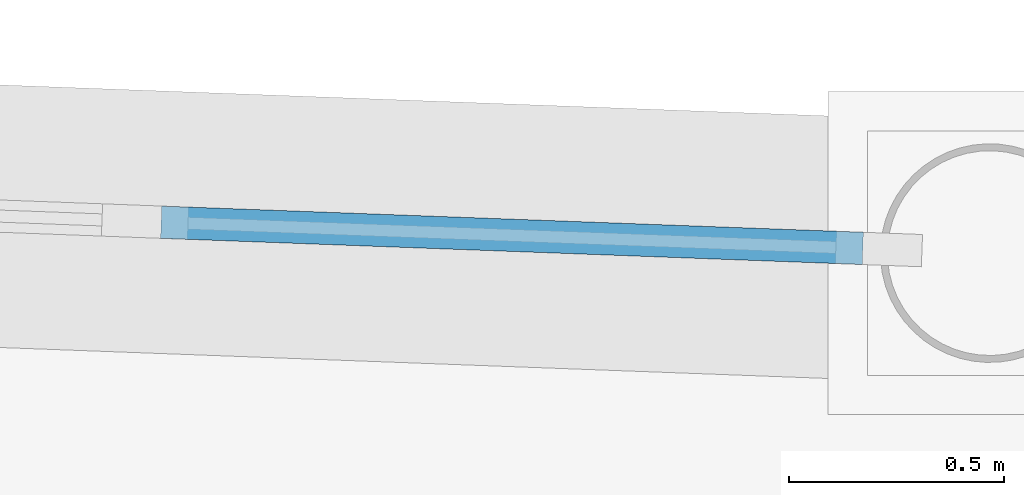
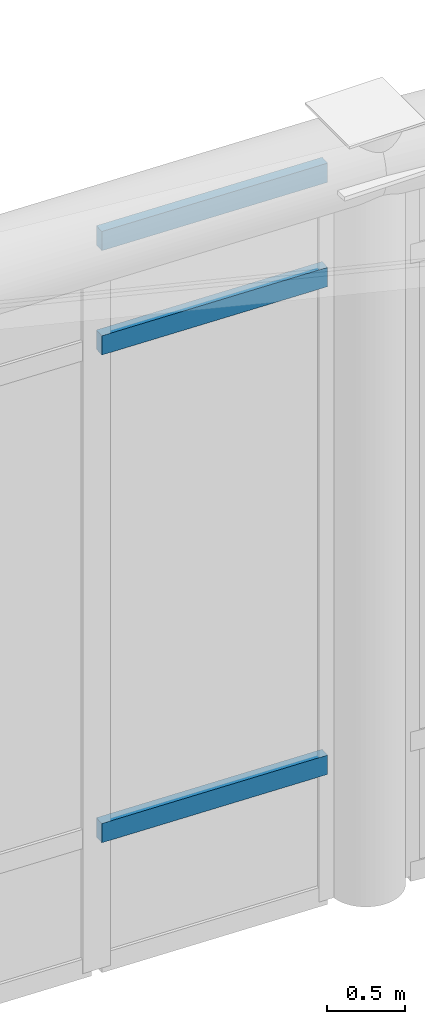
# One storey, part 45 of 101: 3 members, 1 element without a shape of its own.
"""IFC4 building model written with IfcOpenShell, lengths in metres."""

from ifc_helpers import new_model, si_unit, direction, frame, origin, origin_2d, place, context, subcontext, project, spatial, rectangle, extrude, material, layer, layer_set, material_profile, profile_set, type_object, element, aggregate, save


model = new_model("IFC4")

# Units and contexts
model_context = context("Model", 3, precision=1e-05, world=origin(), true_north=direction((0.0, 1.0)))
body_context = subcontext(model_context, "Body", "Model", "MODEL_VIEW")
ifc_project = project(units=[si_unit("LENGTHUNIT", "METRE"), si_unit("AREAUNIT", "SQUARE_METRE"), si_unit("VOLUMEUNIT", "CUBIC_METRE"), si_unit("PLANEANGLEUNIT", "RADIAN"), si_unit("MASSUNIT", "GRAM", prefix="KILO"), si_unit("THERMODYNAMICTEMPERATUREUNIT", "KELVIN"), si_unit("POWERUNIT", "WATT")], contexts=[model_context])

# Site, building, storey
site_placement = place(None, origin())
site = spatial("IfcSite", under=ifc_project, at=site_placement, CompositionType="ELEMENT")
building_placement = place(site_placement, origin())
building = spatial("IfcBuilding", under=site, at=building_placement, Name="Tembeka Court Mobility Hub", CompositionType="ELEMENT")
storey_placement = place(building_placement, frame((0.0, 0.0, 5.39990234375)))
storey = spatial("IfcBuildingStorey", under=building, at=storey_placement, Name="L01", CompositionType="ELEMENT", Elevation=5.39990234375)

# Curtain wall, members
ifc_material = material(Name="Anodised aluminium 6063-T6", Category="aluminium")
ifc_layer = layer(ifc_material, 0.199951171875)
ifc_layer_set = layer_set([ifc_layer], Name="Anodised aluminium 6063-T6")
curtain_wall_type = type_object("IfcCurtainWallType", Name="CW-SYS25", PredefinedType="USERDEFINED", material=ifc_layer_set)
curtain_wall_placement = place(storey_placement, origin())
curtain_wall = element("IfcCurtainWall", 1, at=curtain_wall_placement, inside=storey, type_object=curtain_wall_type, Name="Unitised curtain wall CW25 (CW-L01-082)", ObjectType="UNITISED GLAZING", PredefinedType="USERDEFINED")
ifc_material_profile = material_profile(ifc_material, rectangle(XDim=0.074951171875, YDim=0.14990234375, at=origin_2d()), Name="ALU-TRN 75x150")
ifc_profile_set = profile_set([ifc_material_profile], Name="Anodised aluminium 6063-T6")
member_type = type_object("IfcMemberType", Name="CW-TRN02", PredefinedType="USERDEFINED", material=ifc_profile_set)
member_1_placement = place(storey_placement, frame((127.528564453125, 118.664306640625, 1.050048828125), z_axis=(-0.999304746485, 0.037283020958, 0.0), x_axis=(-0.037283020958, -0.999304746485, 0.0)))
member_1 = element("IfcMember", 2, at=member_1_placement, type_object=member_type, Name="CW25 transom 1.2", ObjectType="TRANSOM", PredefinedType="USERDEFINED", context=body_context, shape_type="SweptSolid", body=[
    extrude(rectangle(XDim=0.074951171875, YDim=0.14990234375, at=origin_2d()), origin(), (0.0, 0.0, 1.0), 1.630615234375),
])
member_2_placement = place(storey_placement, frame((127.528564453125, 118.664306640625, 4.85009765625), z_axis=(-0.999304746485, 0.037283020958, 0.0), x_axis=(-0.037283020958, -0.999304746485, 0.0)))
member_2 = element("IfcMember", 3, at=member_2_placement, type_object=member_type, Name="CW25 transom 1.3", ObjectType="TRANSOM", PredefinedType="USERDEFINED", context=body_context, shape_type="SweptSolid", body=[
    extrude(rectangle(XDim=0.074951171875, YDim=0.14990234375, at=origin_2d()), origin(), (0.0, 0.0, 1.0), 1.630615234375),
])
member_3_placement = place(storey_placement, frame((127.528564453125, 118.664306640625, 5.66259765625), z_axis=(-0.999304746485, 0.037283020958, 0.0), x_axis=(-0.037283020958, -0.999304746485, 0.0)))
member_3 = element("IfcMember", 4, at=member_3_placement, type_object=member_type, Name="CW25 transom 1.4", ObjectType="TRANSOM", PredefinedType="USERDEFINED", context=body_context, shape_type="SweptSolid", body=[
    extrude(rectangle(XDim=0.074951171875, YDim=0.14990234375, at=origin_2d()), origin(), (0.0, 0.0, 1.0), 1.630615234375),
])
aggregate(curtain_wall, [member_1, member_2, member_3])

save(model, "model.ifc")
